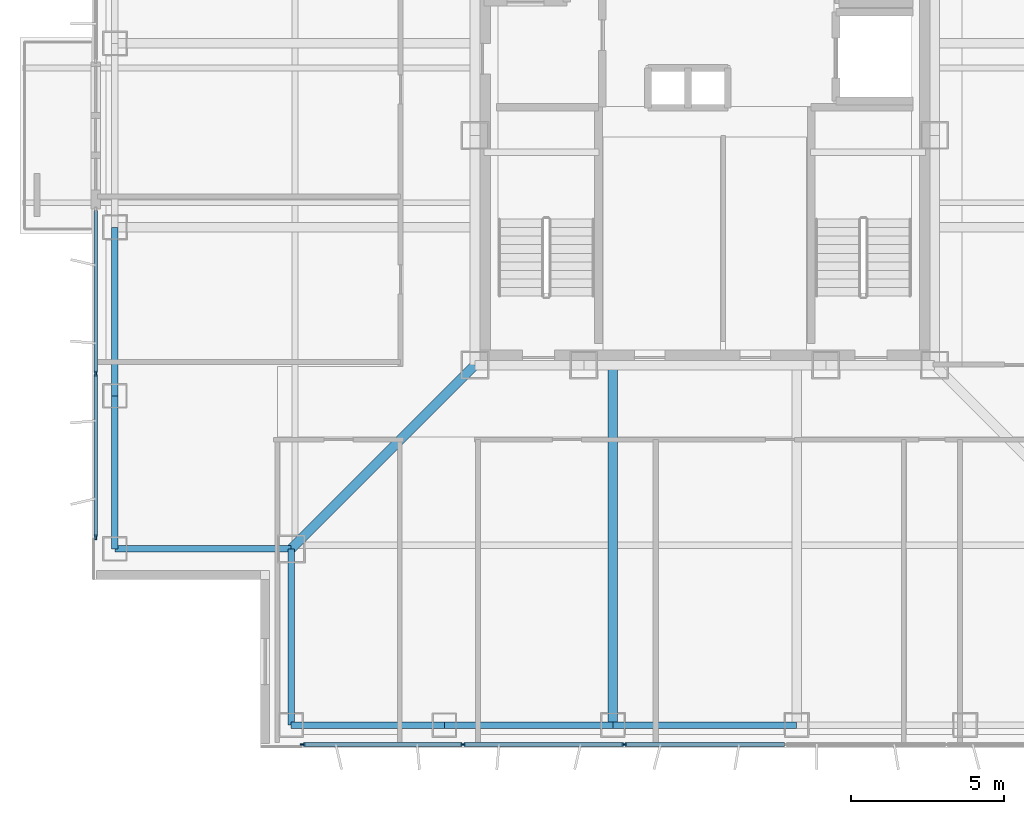
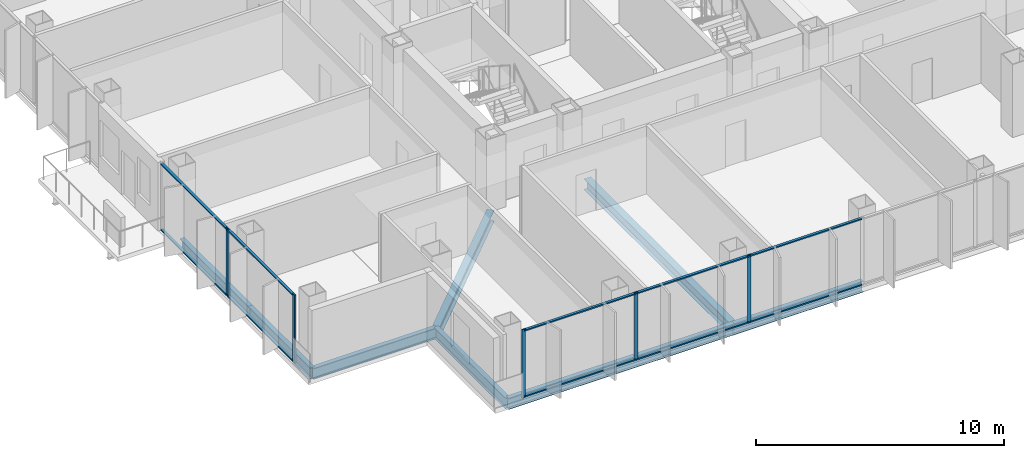
# One storey, part 2 of 15: 15 members, 9 beams, 2 elements without a shape of their own.
"""IFC4 building model written with IfcOpenShell, lengths in metres."""

from ifc_helpers import new_model, si_unit, direction, frame, origin, origin_2d, place, context, subcontext, project, spatial, rectangle, i_section, extrude, material, layer, layer_set, material_profile, profile_set, type_object, element, aggregate, save


model = new_model("IFC4")

# Units and contexts
model_context = context("Model", 3, precision=1e-05, world=origin(), true_north=direction((0.0, 1.0)))
body_context = subcontext(model_context, "Body", "Model", "MODEL_VIEW")
ifc_project = project(units=[si_unit("LENGTHUNIT", "METRE"), si_unit("AREAUNIT", "SQUARE_METRE"), si_unit("VOLUMEUNIT", "CUBIC_METRE"), si_unit("PLANEANGLEUNIT", "RADIAN"), si_unit("MASSUNIT", "GRAM", prefix="KILO")], contexts=[model_context])

# Site, building, storey
site_placement = place(None, origin())
site = spatial("IfcSite", under=ifc_project, at=site_placement, CompositionType="ELEMENT")
building_placement = place(site_placement, origin())
building = spatial("IfcBuilding", under=site, at=building_placement, Name="Trevonay Congress Spire", CompositionType="ELEMENT")
storey_placement = place(building_placement, frame((0.0, 0.0, 216.60009765625)))
storey = spatial("IfcBuildingStorey", under=building, at=storey_placement, Name="L56", CompositionType="ELEMENT", Elevation=216.60009765625)

# Beams
ifc_material_1 = material(Name="Steel ASTM A572 Grade 50", Category="steel")
ifc_material_profile_1 = material_profile(ifc_material_1, i_section(OverallWidth=0.31201171875, OverallDepth=0.54296875, WebThickness=0.0126953125, FlangeThickness=0.020263671875, FilletRadius=0.014892578125, at=origin_2d()), Name="W530x150")
ifc_profile_set_1 = profile_set([ifc_material_profile_1], Name="Steel ASTM A572 Grade 50")
beam_type_1 = type_object("IfcBeamType", Name="BM-GIRD-W530X150", PredefinedType="BEAM", material=ifc_profile_set_1)
beam_1_placement = place(storey_placement, frame((-7.5, -7.5, -0.51171875), z_axis=(-0.707106781187, -0.707106781187, 0.0), x_axis=(0.707106781187, -0.707106781187, 0.0)))
element("IfcBeam", 1, at=beam_1_placement, inside=storey, type_object=beam_type_1, Name="L56 structural beam BM-L56-CDSW", PredefinedType="BEAM", context=body_context, shape_type="SweptSolid", body=[
    extrude(i_section(OverallWidth=0.31201171875, OverallDepth=0.54296875, WebThickness=0.0126953125, FlangeThickness=0.020263671875, FilletRadius=0.014892578125, at=origin_2d()), origin(), (0.0, 0.0, 1.0), 8.4853515625),
])
beam_2_placement = place(storey_placement, frame((-3.0, -7.5, -0.51171875), z_axis=(0.0, -1.0, 0.0), x_axis=(1.0, 0.0, 0.0)))
element("IfcBeam", 2, at=beam_2_placement, inside=storey, type_object=beam_type_1, Name="L56 structural beam BM-L56-GS-M", PredefinedType="BEAM", context=body_context, shape_type="SweptSolid", body=[
    extrude(i_section(OverallWidth=0.31201171875, OverallDepth=0.54296875, WebThickness=0.0126953125, FlangeThickness=0.020263671875, FilletRadius=0.014892578125, at=origin_2d()), origin(), (0.0, 0.0, 1.0), 11.75),
])
ifc_material_profile_2 = material_profile(ifc_material_1, i_section(OverallWidth=0.2119140625, OverallDepth=0.5439453125, WebThickness=0.01318359375, FlangeThickness=0.021240234375, FilletRadius=0.014892578125, at=origin_2d()), Name="W530x123")
ifc_profile_set_2 = profile_set([ifc_material_profile_2], Name="Steel ASTM A572 Grade 50")
beam_type_2 = type_object("IfcBeamType", Name="BM-RING-W530X123", PredefinedType="BEAM", material=ifc_profile_set_2)
for number, where, z_axis, x_axis, name in (
    (3, (-13.5, -19.25, -0.51220703125), (1.0, 0.0, 0.0), (0.0, 1.0, 0.0), "L56 structural beam BM-L56-PS1"),
    (4, (-19.25, -13.5, -0.51220703125), (0.0, 1.0, 0.0), (-1.0, 0.0, 0.0), "L56 structural beam BM-L56-PW1"),
):
    element("IfcBeam", number, at=place(storey_placement, frame(where, z_axis=z_axis, x_axis=x_axis)), inside=storey, type_object=beam_type_2, Name=name, PredefinedType="BEAM", context=body_context, shape_type="SweptSolid", body=[
        extrude(i_section(OverallWidth=0.2119140625, OverallDepth=0.5439453125, WebThickness=0.01318359375, FlangeThickness=0.021240234375, FilletRadius=0.014892578125, at=origin_2d()), origin(), (0.0, 0.0, 1.0), 5.0),
    ])
for number, where, z_axis, x_axis, name in (
    (5, (-8.5, -19.25, -0.51220703125), (1.0, 0.0, 0.0), (0.0, 1.0, 0.0), "L56 structural beam BM-L56-PS2"),
    (6, (-19.25, -8.5, -0.51220703125), (0.0, 1.0, 0.0), (-1.0, 0.0, 0.0), "L56 structural beam BM-L56-PW2"),
):
    element("IfcBeam", number, at=place(storey_placement, frame(where, z_axis=z_axis, x_axis=x_axis)), inside=storey, type_object=beam_type_2, Name=name, PredefinedType="BEAM", context=body_context, shape_type="SweptSolid", body=[
        extrude(i_section(OverallWidth=0.2119140625, OverallDepth=0.5439453125, WebThickness=0.01318359375, FlangeThickness=0.021240234375, FilletRadius=0.014892578125, at=origin_2d()), origin(), (0.0, 0.0, 1.0), 5.5),
    ])
beam_3_placement = place(storey_placement, frame((-3.0, -19.25, -0.51220703125), z_axis=(1.0, 0.0, 0.0), x_axis=(0.0, 1.0, 0.0)))
element("IfcBeam", 7, at=beam_3_placement, inside=storey, type_object=beam_type_2, Name="L56 structural beam BM-L56-PS3", PredefinedType="BEAM", context=body_context, shape_type="SweptSolid", body=[
    extrude(i_section(OverallWidth=0.2119140625, OverallDepth=0.5439453125, WebThickness=0.01318359375, FlangeThickness=0.021240234375, FilletRadius=0.014892578125, at=origin_2d()), origin(), (0.0, 0.0, 1.0), 6.0),
])
for number, where, z_axis, x_axis, name in (
    (8, (-13.5, -19.25, -0.51220703125), (0.0, 1.0, 0.0), (-1.0, 0.0, 0.0), "L56 structural beam BM-L56-N1SW"),
    (9, (-19.25, -13.5, -0.51220703125), (1.0, 0.0, 0.0), (0.0, 1.0, 0.0), "L56 structural beam BM-L56-N2SW"),
):
    element("IfcBeam", number, at=place(storey_placement, frame(where, z_axis=z_axis, x_axis=x_axis)), inside=storey, type_object=beam_type_2, Name=name, PredefinedType="BEAM", context=body_context, shape_type="SweptSolid", body=[
        extrude(i_section(OverallWidth=0.2119140625, OverallDepth=0.5439453125, WebThickness=0.01318359375, FlangeThickness=0.021240234375, FilletRadius=0.014892578125, at=origin_2d()), origin(), (0.0, 0.0, 1.0), 5.75),
    ])

# Curtain wall, members
ifc_material_2 = material(Name="Pale Anodised Aluminium EN AW-6063-T6", Category="aluminium")
ifc_layer = layer(ifc_material_2, 0.169921875, Name="Pale Anodised Aluminium EN AW-6063-T6")
ifc_layer_set = layer_set([ifc_layer], Name="Pale Anodised Aluminium EN AW-6063-T6")
curtain_wall_type = type_object("IfcCurtainWallType", Name="CW-SYS04-CORP-PALE-METAL", PredefinedType="NOTDEFINED", material=ifc_layer_set)
curtain_wall_1_placement = place(storey_placement, origin())
curtain_wall_1 = element("IfcCurtainWall", 10, at=curtain_wall_1_placement, inside=storey, type_object=curtain_wall_type, Name="L56 S unitised curtain wall", PredefinedType="NOTDEFINED")
ifc_material_profile_3 = material_profile(ifc_material_2, rectangle(XDim=0.06005859375, YDim=0.159912109375, at=origin_2d()), Name="CW-MULLION-160-ALUMINIUM")
ifc_profile_set_3 = profile_set([ifc_material_profile_3], Name="Pale Anodised Aluminium EN AW-6063-T6")
member_type_1 = type_object("IfcMemberType", Name="CW-MULLION-160-ALUMINIUM", PredefinedType="MULLION", material=ifc_profile_set_3)
member_1_placement = place(storey_placement, frame((-13.1201171875, -19.8798828125, 0.0), z_axis=(0.0, 0.0, 1.0), x_axis=(0.0, 1.0, 0.0)))
member_1 = element("IfcMember", 11, at=member_1_placement, type_object=member_type_1, Name="CW04 mullion 1", PredefinedType="MULLION", context=body_context, shape_type="SweptSolid", body=[
    extrude(rectangle(XDim=0.06005859375, YDim=0.159912109375, at=origin_2d()), origin(), (0.0, 0.0, 1.0), 3.35986328125),
])
member_2_placement = place(storey_placement, frame((-7.889892578125, -19.8798828125, 0.0), z_axis=(0.0, 0.0, 1.0), x_axis=(0.0, 1.0, 0.0)))
member_2 = element("IfcMember", 12, at=member_2_placement, type_object=member_type_1, Name="CW04 mullion 2", PredefinedType="MULLION", context=body_context, shape_type="SweptSolid", body=[
    extrude(rectangle(XDim=0.06005859375, YDim=0.159912109375, at=origin_2d()), origin(), (0.0, 0.0, 1.0), 3.35986328125),
])
member_3_placement = place(storey_placement, frame((-2.6298828125, -19.8798828125, 0.0), z_axis=(0.0, 0.0, 1.0), x_axis=(0.0, 1.0, 0.0)))
member_3 = element("IfcMember", 13, at=member_3_placement, type_object=member_type_1, Name="CW04 mullion 3", PredefinedType="MULLION", context=body_context, shape_type="SweptSolid", body=[
    extrude(rectangle(XDim=0.06005859375, YDim=0.159912109375, at=origin_2d()), origin(), (0.0, 0.0, 1.0), 3.35986328125),
])

curtain_wall_2_placement = place(storey_placement, origin())
curtain_wall_2 = element("IfcCurtainWall", 14, at=curtain_wall_2_placement, inside=storey, type_object=curtain_wall_type, Name="L56 WA unitised curtain wall", PredefinedType="NOTDEFINED")
member_4_placement = place(storey_placement, frame((-19.8798828125, -13.1201171875, 0.0), z_axis=(0.0, 0.0, 1.0), x_axis=(-1.0, 0.0, 0.0)))
member_4 = element("IfcMember", 15, at=member_4_placement, type_object=member_type_1, Name="CW04 mullion 1", PredefinedType="MULLION", context=body_context, shape_type="SweptSolid", body=[
    extrude(rectangle(XDim=0.06005859375, YDim=0.159912109375, at=origin_2d()), origin(), (0.0, 0.0, 1.0), 3.35986328125),
])
member_5_placement = place(storey_placement, frame((-19.8798828125, -7.77490234375, 0.0), z_axis=(0.0, 0.0, 1.0), x_axis=(-1.0, 0.0, 0.0)))
member_5 = element("IfcMember", 16, at=member_5_placement, type_object=member_type_1, Name="CW04 mullion 2", PredefinedType="MULLION", context=body_context, shape_type="SweptSolid", body=[
    extrude(rectangle(XDim=0.06005859375, YDim=0.159912109375, at=origin_2d()), origin(), (0.0, 0.0, 1.0), 3.35986328125),
])

# Member
ifc_material_profile_4 = material_profile(ifc_material_2, rectangle(XDim=0.1201171875, YDim=0.06005859375, at=origin_2d()), Name="CW-TRANSOM-120-ALUMINIUM")
ifc_profile_set_4 = profile_set([ifc_material_profile_4], Name="Pale Anodised Aluminium EN AW-6063-T6")
member_type_2 = type_object("IfcMemberType", Name="CW-TRANSOM-120-ALUMINIUM", PredefinedType="USERDEFINED", material=ifc_profile_set_4)
member_6_placement = place(storey_placement, frame((-13.090087890625, -19.8798828125, 0.059814453125), z_axis=(1.0, 0.0, 0.0), x_axis=(0.0, 1.0, 0.0)))
member_6 = element("IfcMember", 17, at=member_6_placement, type_object=member_type_2, Name="CW04 transom 1.1", ObjectType="TRANSOM", PredefinedType="USERDEFINED", context=body_context, shape_type="SweptSolid", body=[
    extrude(rectangle(XDim=0.1201171875, YDim=0.06005859375, at=origin_2d()), origin(), (0.0, 0.0, 1.0), 5.170166015625),
])

member_7_placement = place(storey_placement, frame((-13.090087890625, -19.8798828125, 3.2998046875), z_axis=(1.0, 0.0, 0.0), x_axis=(0.0, 1.0, 0.0)))
member_7 = element("IfcMember", 18, at=member_7_placement, type_object=member_type_2, Name="CW04 transom 1.2", ObjectType="TRANSOM", PredefinedType="USERDEFINED", context=body_context, shape_type="SweptSolid", body=[
    extrude(rectangle(XDim=0.1201171875, YDim=0.06005859375, at=origin_2d()), origin(), (0.0, 0.0, 1.0), 5.170166015625),
])

member_8_placement = place(storey_placement, frame((-7.860107421875, -19.8798828125, 0.059814453125), z_axis=(1.0, 0.0, 0.0), x_axis=(0.0, 1.0, 0.0)))
member_8 = element("IfcMember", 19, at=member_8_placement, type_object=member_type_2, Name="CW04 transom 2.1", ObjectType="TRANSOM", PredefinedType="USERDEFINED", context=body_context, shape_type="SweptSolid", body=[
    extrude(rectangle(XDim=0.1201171875, YDim=0.06005859375, at=origin_2d()), origin(), (0.0, 0.0, 1.0), 5.2001953125),
])

member_9_placement = place(storey_placement, frame((-7.860107421875, -19.8798828125, 3.2998046875), z_axis=(1.0, 0.0, 0.0), x_axis=(0.0, 1.0, 0.0)))
member_9 = element("IfcMember", 20, at=member_9_placement, type_object=member_type_2, Name="CW04 transom 2.2", ObjectType="TRANSOM", PredefinedType="USERDEFINED", context=body_context, shape_type="SweptSolid", body=[
    extrude(rectangle(XDim=0.1201171875, YDim=0.06005859375, at=origin_2d()), origin(), (0.0, 0.0, 1.0), 5.2001953125),
])

member_10_placement = place(storey_placement, frame((-2.60009765625, -19.8798828125, 0.059814453125), z_axis=(1.0, 0.0, 0.0), x_axis=(0.0, 1.0, 0.0)))
member_10 = element("IfcMember", 21, at=member_10_placement, type_object=member_type_2, Name="CW04 transom 3.1", ObjectType="TRANSOM", PredefinedType="USERDEFINED", context=body_context, shape_type="SweptSolid", body=[
    extrude(rectangle(XDim=0.1201171875, YDim=0.06005859375, at=origin_2d()), origin(), (0.0, 0.0, 1.0), 5.2001953125),
])

member_11_placement = place(storey_placement, frame((-2.60009765625, -19.8798828125, 3.2998046875), z_axis=(1.0, 0.0, 0.0), x_axis=(0.0, 1.0, 0.0)))
member_11 = element("IfcMember", 22, at=member_11_placement, type_object=member_type_2, Name="CW04 transom 3.2", ObjectType="TRANSOM", PredefinedType="USERDEFINED", context=body_context, shape_type="SweptSolid", body=[
    extrude(rectangle(XDim=0.1201171875, YDim=0.06005859375, at=origin_2d()), origin(), (0.0, 0.0, 1.0), 5.2001953125),
])

aggregate(curtain_wall_1, [member_1, member_2, member_3, member_6, member_7, member_8, member_9, member_10, member_11])

member_12_placement = place(storey_placement, frame((-19.8798828125, -13.090087890625, 0.059814453125), z_axis=(0.0, 1.0, 0.0), x_axis=(-1.0, 0.0, 0.0)))
member_12 = element("IfcMember", 23, at=member_12_placement, type_object=member_type_2, Name="CW04 transom 1.1", ObjectType="TRANSOM", PredefinedType="USERDEFINED", context=body_context, shape_type="SweptSolid", body=[
    extrude(rectangle(XDim=0.1201171875, YDim=0.06005859375, at=origin_2d()), origin(), (0.0, 0.0, 1.0), 5.28515625),
])

member_13_placement = place(storey_placement, frame((-19.8798828125, -13.090087890625, 3.2998046875), z_axis=(0.0, 1.0, 0.0), x_axis=(-1.0, 0.0, 0.0)))
member_13 = element("IfcMember", 24, at=member_13_placement, type_object=member_type_2, Name="CW04 transom 1.2", ObjectType="TRANSOM", PredefinedType="USERDEFINED", context=body_context, shape_type="SweptSolid", body=[
    extrude(rectangle(XDim=0.1201171875, YDim=0.06005859375, at=origin_2d()), origin(), (0.0, 0.0, 1.0), 5.28515625),
])

member_14_placement = place(storey_placement, frame((-19.8798828125, -7.7451171875, 0.059814453125), z_axis=(0.0, 1.0, 0.0), x_axis=(-1.0, 0.0, 0.0)))
member_14 = element("IfcMember", 25, at=member_14_placement, type_object=member_type_2, Name="CW04 transom 2.1", ObjectType="TRANSOM", PredefinedType="USERDEFINED", context=body_context, shape_type="SweptSolid", body=[
    extrude(rectangle(XDim=0.1201171875, YDim=0.06005859375, at=origin_2d()), origin(), (0.0, 0.0, 1.0), 5.28515625),
])

member_15_placement = place(storey_placement, frame((-19.8798828125, -7.7451171875, 3.2998046875), z_axis=(0.0, 1.0, 0.0), x_axis=(-1.0, 0.0, 0.0)))
member_15 = element("IfcMember", 26, at=member_15_placement, type_object=member_type_2, Name="CW04 transom 2.2", ObjectType="TRANSOM", PredefinedType="USERDEFINED", context=body_context, shape_type="SweptSolid", body=[
    extrude(rectangle(XDim=0.1201171875, YDim=0.06005859375, at=origin_2d()), origin(), (0.0, 0.0, 1.0), 5.28515625),
])

aggregate(curtain_wall_2, [member_4, member_5, member_12, member_13, member_14, member_15])

save(model, "model.ifc")
